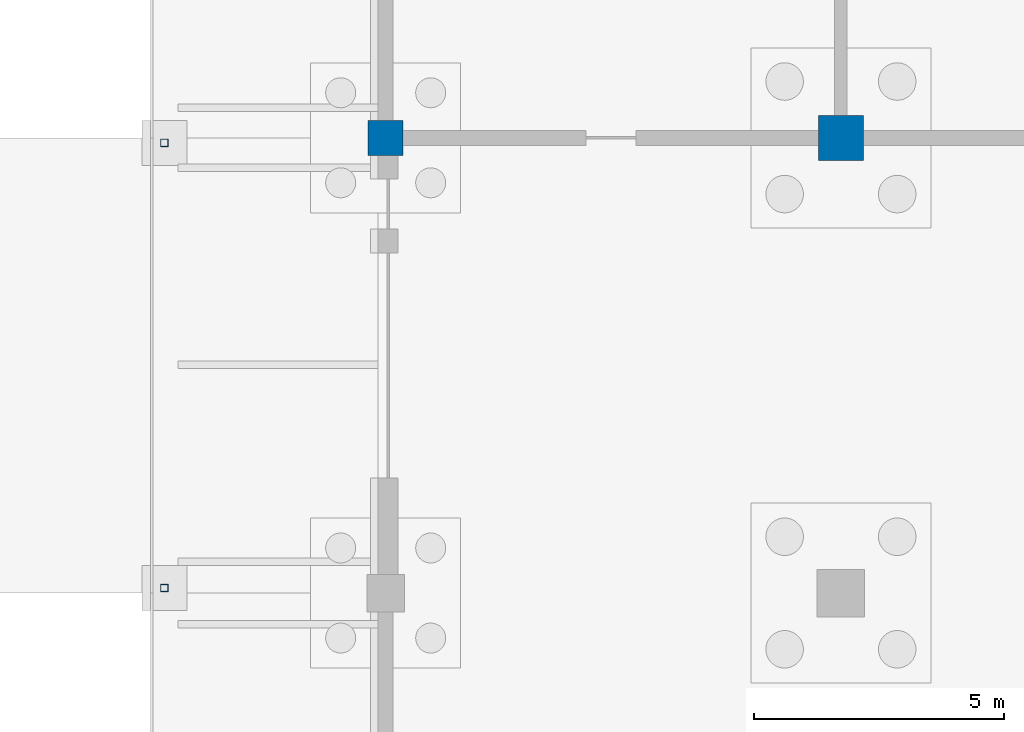
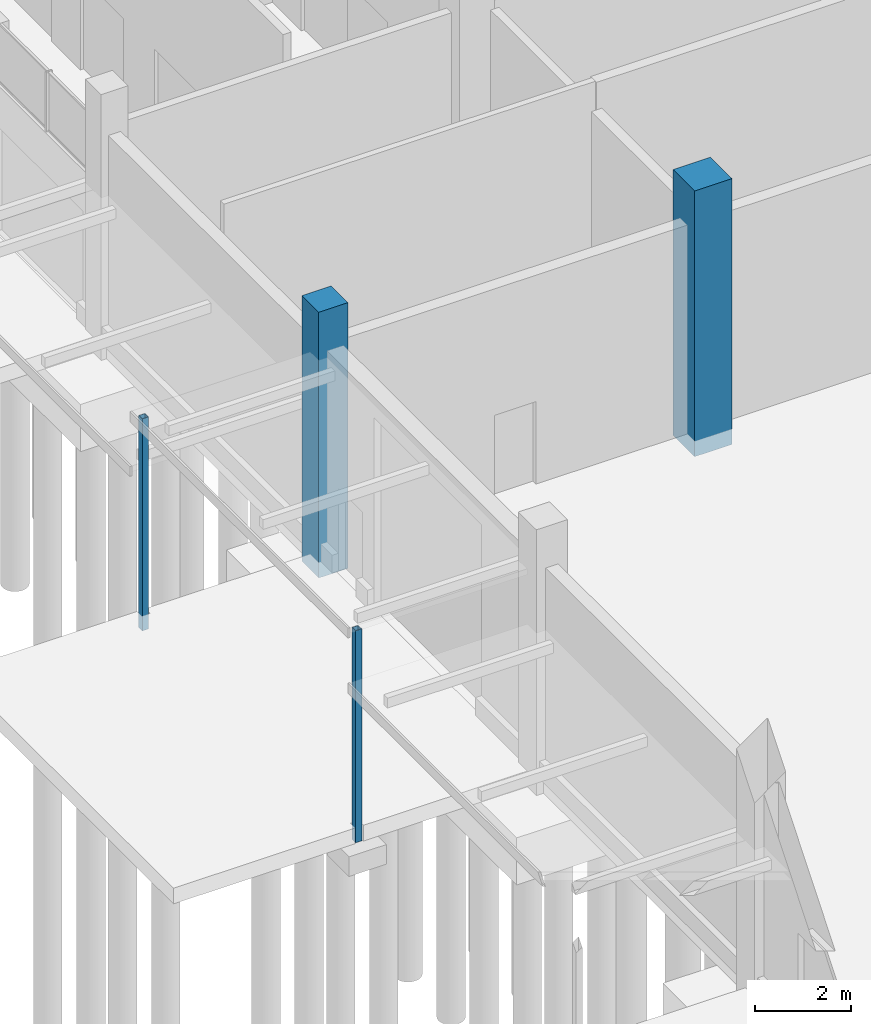
# One storey, part 13 of 129: 4 columns.
"""IFC4 building model written with IfcOpenShell, lengths in metres."""

import ifcopenshell
import ifcopenshell.guid

model = None  # the IFC model being written
_history = None  # IfcOwnerHistory: only IFC2X3 demands one
_inside = {}  # id of a spatial element -> (the spatial element, [elements in it])
_under = {}  # id of a project, library or spatial element -> (it, [spatial elements below it])
_declared = {}  # id of a project -> (the project, [libraries it declares])
_typed = {}  # id of a type object -> (the type object, [elements of that type])
_made_of = {}  # id of a material, layer set ... -> (it, [elements and type objects made of it])


def new_model(schema):
    """Start an empty IFC model of exactly this schema.

    Asked for "IFC4X3", IfcOpenShell would pick the latest addendum, in which some entities
    have other attributes; the version numbers below select the first issue.
    IFC2X3 requires an IfcOwnerHistory on every rooted entity: one is made here for all.
    """
    global model, _history
    if schema == "IFC4X3":
        model = ifcopenshell.file(schema_version=(4, 3, 0, 0))
    else:
        model = ifcopenshell.file(schema=schema)
    _inside.clear()
    _under.clear()
    _declared.clear()
    _typed.clear()
    _made_of.clear()
    _history = None
    if model.schema == "IFC2X3":
        org = make("IfcOrganization", Name="unknown")
        user = make(
            "IfcPersonAndOrganization",
            ThePerson=make("IfcPerson", FamilyName="unknown"),
            TheOrganization=org,
        )
        app = make(
            "IfcApplication",
            ApplicationDeveloper=org,
            Version="unknown",
            ApplicationFullName="unknown",
            ApplicationIdentifier="unknown",
        )
        _history = make(
            "IfcOwnerHistory",
            OwningUser=user,
            OwningApplication=app,
            ChangeAction="ADDED",
            CreationDate=0,
        )
    return model


def make(cls, **values):
    """One entity of the class cls with the attributes given. An attribute that is None is left unset."""
    return model.create_entity(
        cls, **{name: value for name, value in values.items() if value is not None}
    )


def rooted(cls, **values):
    """An entity with a GlobalId (a new one), such as an element, a storey or a relation."""
    return make(cls, GlobalId=ifcopenshell.guid.new(), OwnerHistory=_history, **values)


def si_unit(unit_type, name, prefix=None):
    """IfcSIUnit, for example si_unit("LENGTHUNIT", "METRE", prefix="MILLI")."""
    return make("IfcSIUnit", UnitType=unit_type, Prefix=prefix, Name=name)


def assignment(units):
    """IfcUnitAssignment: the units of a project."""
    return None if units is None else make("IfcUnitAssignment", Units=units)


def point(xyz):
    """IfcCartesianPoint."""
    return None if xyz is None else make("IfcCartesianPoint", Coordinates=xyz)


def direction(xyz):
    """IfcDirection."""
    return None if xyz is None else make("IfcDirection", DirectionRatios=xyz)


def frame(location, z_axis=None, x_axis=None):
    """IfcAxis2Placement3D, a coordinate frame: its origin and axes. An axis left out is left unset."""
    return make(
        "IfcAxis2Placement3D",
        Location=point(location),
        Axis=direction(z_axis),
        RefDirection=direction(x_axis),
    )


def frame_2d(location, x_axis=None):
    """IfcAxis2Placement2D, a coordinate frame in the plane: its origin and x axis."""
    return make(
        "IfcAxis2Placement2D", Location=point(location), RefDirection=direction(x_axis)
    )


def origin():
    """The frame at (0, 0, 0) with its axes left unset."""
    return frame((0.0, 0.0, 0.0))


def origin_2d():
    """The frame at (0, 0) in the plane with its x axis left unset."""
    return frame_2d((0.0, 0.0))


def place(relative_to, where):
    """IfcLocalPlacement: puts the frame where relative to a parent placement (None: the world)."""
    return make(
        "IfcLocalPlacement", PlacementRelTo=relative_to, RelativePlacement=where
    )


def context(
    kind, dimensions, precision=None, world=None, true_north=None, identifier=None
):
    """IfcGeometricRepresentationContext, for example the 3D "Model" context."""
    return make(
        "IfcGeometricRepresentationContext",
        ContextIdentifier=identifier,
        ContextType=kind,
        CoordinateSpaceDimension=dimensions,
        Precision=precision,
        WorldCoordinateSystem=world,
        TrueNorth=true_north,
    )


def subcontext(parent, identifier, kind, view, scale=None):
    """IfcGeometricRepresentationSubContext, for example "Body" below "Model"."""
    return make(
        "IfcGeometricRepresentationSubContext",
        ContextIdentifier=identifier,
        ContextType=kind,
        ParentContext=parent,
        TargetScale=scale,
        TargetView=view,
    )


def project(units=None, contexts=None):
    """IfcProject with its units and contexts."""
    return rooted(
        "IfcProject",
        Name="project",
        RepresentationContexts=contexts,
        UnitsInContext=assignment(units),
    )


def spatial(cls, under=None, at=None, **own):
    """A site, building, storey or space (cls), placed at a placement, below another one or the project."""
    s = rooted(cls, ObjectPlacement=at, **own)
    if under is not None:
        _under.setdefault(under.id(), (under, []))[1].append(s)
    return s


def profile(cls, at=None, kind="AREA", **sizes):
    """A parametric profile (cls). Its sizes go by their IFC names, for example OverallWidth=200.0."""
    return make(cls, ProfileType=kind, Position=at, **sizes)


def rectangle(**sizes):
    """IfcRectangleProfileDef."""
    return profile("IfcRectangleProfileDef", **sizes)


def hollow_rectangle(**sizes):
    """IfcRectangleHollowProfileDef."""
    return profile("IfcRectangleHollowProfileDef", **sizes)


def extrude(swept, where, along, depth):
    """IfcExtrudedAreaSolid: the profile swept, set in the frame where, extruded along a direction by depth."""
    return make(
        "IfcExtrudedAreaSolid",
        SweptArea=swept,
        Position=where,
        ExtrudedDirection=direction(along),
        Depth=depth,
    )


def shape(context_of_items, identifier, shape_type, items):
    """IfcShapeRepresentation: the items that make up one representation, for example the "Body"."""
    return make(
        "IfcShapeRepresentation",
        ContextOfItems=context_of_items,
        RepresentationIdentifier=identifier,
        RepresentationType=shape_type,
        Items=items,
    )


def material(Name=None, Category=None):
    """IfcMaterial."""
    return make("IfcMaterial", Name=Name, Category=Category)


def material_profile(
    of_material, cross_section, Name=None, Category=None, Priority=None
):
    """IfcMaterialProfile: a cross section and its material."""
    return make(
        "IfcMaterialProfile",
        Name=Name,
        Material=of_material,
        Profile=cross_section,
        Priority=Priority,
        Category=Category,
    )


def profile_set(profiles, Name=None, composite=None):
    """IfcMaterialProfileSet."""
    return make(
        "IfcMaterialProfileSet",
        Name=Name,
        MaterialProfiles=profiles,
        CompositeProfile=composite,
    )


def made_of(thing, what):
    """Note that an element or type object is made of a material, layer set ...; save() writes the relation."""
    if what is not None:
        _made_of.setdefault(what.id(), (what, []))[1].append(thing)
    return thing


def type_object(cls, material=None, **own):
    """A type object (cls), such as IfcWallType, which elements share."""
    return made_of(rooted(cls, **own), material)


def element(
    cls,
    number,
    at=None,
    inside=None,
    cuts=None,
    type_object=None,
    material=None,
    context=None,
    identifier="Body",
    shape_type=None,
    held_by="IfcProductDefinitionShape",
    body=None,
    shapes=None,
    **own,
):
    """One element of the class cls, such as IfcWall. Its Tag is "e" and its number.

    at: its placement. inside: the storey or other place that contains it. cuts: it is an
    opening in that element (IfcRelVoidsElement). A single representation is given by context,
    identifier, shape_type and body (its items); several are given by shapes. held_by: the class
    of the entity that holds the representations. save() writes the other relations.
    """
    e = rooted(cls, Tag="e%d" % number, ObjectPlacement=at, **own)
    if body is not None:
        shapes = [shape(context, identifier, shape_type, body)]
    if shapes is not None:
        e.Representation = make(held_by, Representations=shapes)
    if inside is not None:
        _inside.setdefault(inside.id(), (inside, []))[1].append(e)
    if cuts is not None:
        rooted(
            "IfcRelVoidsElement", RelatingBuildingElement=cuts, RelatedOpeningElement=e
        )
    if type_object is not None:
        _typed.setdefault(type_object.id(), (type_object, []))[1].append(e)
    return made_of(e, material)


def aggregate(whole, parts):
    """IfcRelAggregates: a whole, such as a stair, and the parts it consists of."""
    return rooted("IfcRelAggregates", RelatingObject=whole, RelatedObjects=parts)


def save(model, path):
    """Write the relations noted so far, then the file.

    IfcRelAggregates (storeys below a building ...), IfcRelContainedInSpatialStructure (elements
    in a storey), IfcRelDefinesByType, IfcRelAssociatesMaterial and IfcRelDeclares: one each for
    every whole, place, type object, material and project.
    """
    for whole, parts in _under.values():
        aggregate(whole, parts)
    for where, things in _inside.values():
        rooted(
            "IfcRelContainedInSpatialStructure",
            RelatedElements=things,
            RelatingStructure=where,
        )
    for kind, things in _typed.values():
        rooted("IfcRelDefinesByType", RelatedObjects=things, RelatingType=kind)
    for what, things in _made_of.values():
        rooted("IfcRelAssociatesMaterial", RelatedObjects=things, RelatingMaterial=what)
    for by, libraries in _declared.values():
        rooted("IfcRelDeclares", RelatingContext=by, RelatedDefinitions=libraries)
    model.write(path)


model = new_model("IFC4")

# Units and contexts
model_context = context("Model", 3, precision=1e-05, world=origin(), true_north=direction((0.0, 1.0)))
body_context = subcontext(model_context, "Body", "Model", "MODEL_VIEW")
ifc_project = project(units=[si_unit("LENGTHUNIT", "METRE"), si_unit("AREAUNIT", "SQUARE_METRE"), si_unit("VOLUMEUNIT", "CUBIC_METRE"), si_unit("PLANEANGLEUNIT", "RADIAN"), si_unit("MASSUNIT", "GRAM", prefix="KILO")], contexts=[model_context])

# Site, building, storey
site_placement = place(None, origin())
site = spatial("IfcSite", under=ifc_project, at=site_placement, CompositionType="ELEMENT")
building_placement = place(site_placement, origin())
building = spatial("IfcBuilding", under=site, at=building_placement, Name="Shirokan Park Arena", CompositionType="ELEMENT")
storey_placement = place(building_placement, origin())
storey = spatial("IfcBuildingStorey", under=building, at=storey_placement, Name="L00", CompositionType="ELEMENT", Elevation=0.0)

# Columns
ifc_material_1 = material(Name="Concrete C35", Category="concrete")
ifc_material_profile_1 = material_profile(ifc_material_1, rectangle(XDim=0.699951171875, YDim=0.699951171875, at=origin_2d()), Name="700x700")
ifc_profile_set_1 = profile_set([ifc_material_profile_1], Name="Concrete C35")
column_type_1 = type_object("IfcColumnType", Name="RC column 700x700", PredefinedType="COLUMN", material=ifc_profile_set_1)
column_1_placement = place(storey_placement, frame((0.0, 36.39990234375, -0.39990234375), z_axis=(0.0, 0.0, 1.0), x_axis=(1.0, 0.0, 0.0)))
element("IfcColumn", 1, at=column_1_placement, inside=storey, type_object=column_type_1, Name="Column 1E L00", PredefinedType="COLUMN", context=body_context, shape_type="SweptSolid", body=[
    extrude(rectangle(XDim=0.699951171875, YDim=0.699951171875, at=origin_2d()), origin(), (0.0, 0.0, 1.0), 6.77001953125),
])
ifc_material_profile_2 = material_profile(ifc_material_1, rectangle(XDim=0.89990234375, YDim=0.89990234375, at=origin_2d()), Name="900x900")
ifc_profile_set_2 = profile_set([ifc_material_profile_2], Name="Concrete C35")
column_type_2 = type_object("IfcColumnType", Name="RC column 900x900", PredefinedType="COLUMN", material=ifc_profile_set_2)
column_2_placement = place(storey_placement, frame((9.10009765625, 36.39990234375, -0.39990234375), z_axis=(0.0, 0.0, 1.0), x_axis=(1.0, 0.0, 0.0)))
element("IfcColumn", 2, at=column_2_placement, inside=storey, type_object=column_type_2, Name="Column 2E L00", PredefinedType="COLUMN", context=body_context, shape_type="SweptSolid", body=[
    extrude(rectangle(XDim=0.89990234375, YDim=0.89990234375, at=origin_2d()), origin(), (0.0, 0.0, 1.0), 6.77001953125),
])
ifc_material_2 = material(Name="Steel S355", Category="steel")
ifc_material_profile_3 = material_profile(ifc_material_2, hollow_rectangle(XDim=0.14990234375, YDim=0.14990234375, WallThickness=0.008056640625, at=origin_2d()), Name="RHS 150x150x8")
ifc_profile_set_3 = profile_set([ifc_material_profile_3], Name="Steel S355")
column_type_3 = type_object("IfcColumnType", Name="Steel post RHS 150x150x8", PredefinedType="COLUMN", material=ifc_profile_set_3)
for number, where, z_axis, x_axis, name in (
    (3, (-4.425048828125, 36.300048828125, -0.39990234375), (0.0, 0.0, 1.0), (1.0, 0.0, 0.0), "Canopy post west grid 9"),
    (4, (-4.425048828125, 27.39990234375, -0.39990234375), (0.0, 0.0, 1.0), (1.0, 0.0, 0.0), "Canopy post west grid 10"),
):
    element("IfcColumn", number, at=place(storey_placement, frame(where, z_axis=z_axis, x_axis=x_axis)), inside=storey, type_object=column_type_3, Name=name, PredefinedType="COLUMN", context=body_context, shape_type="SweptSolid", body=[
        extrude(hollow_rectangle(XDim=0.14990234375, YDim=0.14990234375, WallThickness=0.008056640625, at=origin_2d()), origin(), (0.0, 0.0, 1.0), 5.39990234375),
    ])

save(model, "model.ifc")
